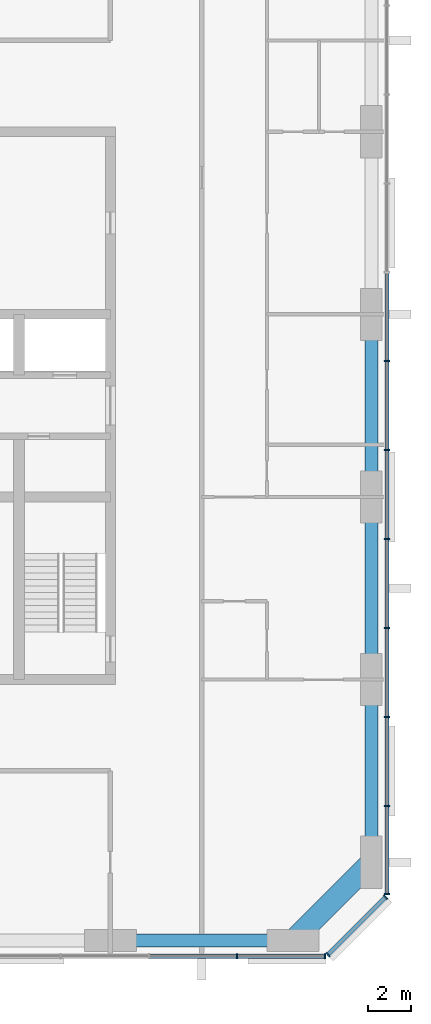
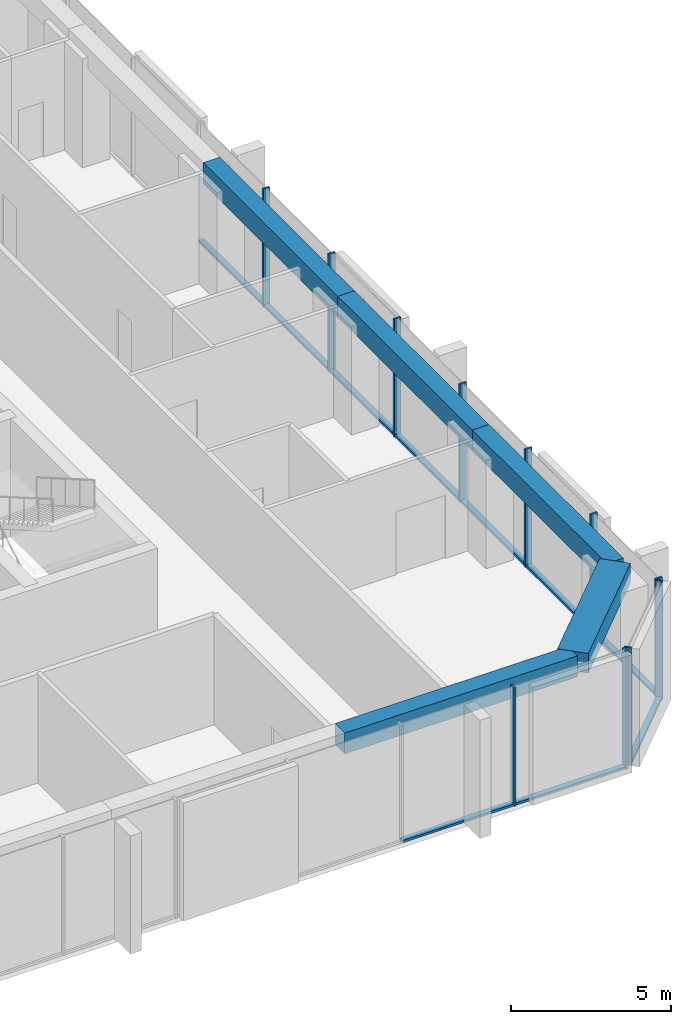
# One storey, part 3 of 10: 21 members, 5 beams, 3 elements without a shape of their own.
"""IFC4 building model written with IfcOpenShell, lengths in metres."""

from ifc_helpers import new_model, si_unit, direction, frame, origin, origin_2d, place, context, subcontext, project, spatial, rectangle, extrude, material, material_profile, profile_set, type_object, element, aggregate, save


model = new_model("IFC4")

# Units and contexts
model_context = context("Model", 3, precision=1e-05, world=origin(), true_north=direction((0.0, 1.0)))
body_context = subcontext(model_context, "Body", "Model", "MODEL_VIEW")
ifc_project = project(units=[si_unit("LENGTHUNIT", "METRE"), si_unit("AREAUNIT", "SQUARE_METRE"), si_unit("VOLUMEUNIT", "CUBIC_METRE"), si_unit("PLANEANGLEUNIT", "RADIAN"), si_unit("MASSUNIT", "GRAM", prefix="KILO")], contexts=[model_context])

# Site, building, storey
site_placement = place(None, origin())
site = spatial("IfcSite", under=ifc_project, at=site_placement, CompositionType="ELEMENT")
building_placement = place(site_placement, origin())
building = spatial("IfcBuilding", under=site, at=building_placement, Name="Dunama Terrace Hotel", CompositionType="ELEMENT")
storey_placement = place(building_placement, frame((0.0, 0.0, 289.10009765625)))
storey = spatial("IfcBuildingStorey", under=building, at=storey_placement, Name="L74", CompositionType="ELEMENT", Elevation=289.10009765625)

# Curtain wall, members
ifc_material_1 = material(Name="Aluminium curtain wall system", Category="aluminium")
curtain_wall_type = type_object("IfcCurtainWallType", Name="Unitised fritted glass wall CW-D", PredefinedType="NOTDEFINED", material=ifc_material_1)
curtain_wall_1_placement = place(storey_placement, origin())
curtain_wall_1 = element("IfcCurtainWall", 1, at=curtain_wall_1_placement, inside=storey, type_object=curtain_wall_type, Name="Unitised fritted glass wall CW-D L74", PredefinedType="NOTDEFINED")
ifc_material_2 = material(Name="Aluminium mullion", Category="aluminium")
ifc_material_profile_1 = material_profile(ifc_material_2, rectangle(XDim=0.070068359375, YDim=0.239990234375, at=origin_2d()), Name="CWD MULLION 70X240")
ifc_profile_set_1 = profile_set([ifc_material_profile_1], Name="Aluminium mullion")
member_type_1 = type_object("IfcMemberType", Name="CWD mullion 70x240", PredefinedType="MULLION", material=ifc_profile_set_1)
member_1_placement = place(storey_placement, frame((47.8330078125, 4.080078125, 0.0), z_axis=(0.0, 0.0, 1.0), x_axis=(1.0, 0.0, 0.0)))
member_1 = element("IfcMember", 2, at=member_1_placement, type_object=member_type_1, Name="CWD mullion", PredefinedType="MULLION", context=body_context, shape_type="SweptSolid", body=[
    extrude(rectangle(XDim=0.070068359375, YDim=0.239990234375, at=origin_2d()), origin(), (0.0, 0.0, 1.0), 4.5),
])
member_2_placement = place(storey_placement, frame((51.864990234375, 4.080078125, 0.0), z_axis=(0.0, 0.0, 1.0), x_axis=(1.0, 0.0, 0.0)))
member_2 = element("IfcMember", 3, at=member_2_placement, type_object=member_type_1, Name="CWD mullion", PredefinedType="MULLION", context=body_context, shape_type="SweptSolid", body=[
    extrude(rectangle(XDim=0.070068359375, YDim=0.239990234375, at=origin_2d()), origin(), (0.0, 0.0, 1.0), 4.5),
])

curtain_wall_2_placement = place(storey_placement, origin())
curtain_wall_2 = element("IfcCurtainWall", 4, at=curtain_wall_2_placement, inside=storey, type_object=curtain_wall_type, Name="Unitised fritted glass wall CW-D L74", PredefinedType="NOTDEFINED")
member_3_placement = place(storey_placement, frame((52.010009765625, 4.139892578125, 0.0), z_axis=(0.0, 0.0, 1.0), x_axis=(0.707106781187, 0.707106781187, 0.0)))
member_3 = element("IfcMember", 5, at=member_3_placement, type_object=member_type_1, Name="CWD mullion", PredefinedType="MULLION", context=body_context, shape_type="SweptSolid", body=[
    extrude(rectangle(XDim=0.070068359375, YDim=0.239990234375, at=origin_2d()), origin(), (0.0, 0.0, 1.0), 4.5),
])
member_4_placement = place(storey_placement, frame((54.659912109375, 6.7900390625, 0.0), z_axis=(0.0, 0.0, 1.0), x_axis=(0.707106781187, 0.707106781187, 0.0)))
member_4 = element("IfcMember", 6, at=member_4_placement, type_object=member_type_1, Name="CWD mullion", PredefinedType="MULLION", context=body_context, shape_type="SweptSolid", body=[
    extrude(rectangle(XDim=0.070068359375, YDim=0.239990234375, at=origin_2d()), origin(), (0.0, 0.0, 1.0), 4.5),
])

curtain_wall_3_placement = place(storey_placement, origin())
curtain_wall_3 = element("IfcCurtainWall", 7, at=curtain_wall_3_placement, inside=storey, type_object=curtain_wall_type, Name="Unitised fritted glass wall CW-D L74", PredefinedType="NOTDEFINED")
member_5_placement = place(storey_placement, frame((54.719970703125, 6.93505859375, 0.0), z_axis=(0.0, 0.0, 1.0), x_axis=(0.0, 1.0, 0.0)))
member_5 = element("IfcMember", 8, at=member_5_placement, type_object=member_type_1, Name="CWD mullion", PredefinedType="MULLION", context=body_context, shape_type="SweptSolid", body=[
    extrude(rectangle(XDim=0.070068359375, YDim=0.239990234375, at=origin_2d()), origin(), (0.0, 0.0, 1.0), 4.5),
])
member_6_placement = place(storey_placement, frame((54.719970703125, 10.990966796875, 0.0), z_axis=(0.0, 0.0, 1.0), x_axis=(0.0, 1.0, 0.0)))
member_6 = element("IfcMember", 9, at=member_6_placement, type_object=member_type_1, Name="CWD mullion", PredefinedType="MULLION", context=body_context, shape_type="SweptSolid", body=[
    extrude(rectangle(XDim=0.070068359375, YDim=0.239990234375, at=origin_2d()), origin(), (0.0, 0.0, 1.0), 4.5),
])
member_7_placement = place(storey_placement, frame((54.719970703125, 15.08203125, 0.0), z_axis=(0.0, 0.0, 1.0), x_axis=(0.0, 1.0, 0.0)))
member_7 = element("IfcMember", 10, at=member_7_placement, type_object=member_type_1, Name="CWD mullion", PredefinedType="MULLION", context=body_context, shape_type="SweptSolid", body=[
    extrude(rectangle(XDim=0.070068359375, YDim=0.239990234375, at=origin_2d()), origin(), (0.0, 0.0, 1.0), 4.5),
])
member_8_placement = place(storey_placement, frame((54.719970703125, 19.173095703125, 0.0), z_axis=(0.0, 0.0, 1.0), x_axis=(0.0, 1.0, 0.0)))
member_8 = element("IfcMember", 11, at=member_8_placement, type_object=member_type_1, Name="CWD mullion", PredefinedType="MULLION", context=body_context, shape_type="SweptSolid", body=[
    extrude(rectangle(XDim=0.070068359375, YDim=0.239990234375, at=origin_2d()), origin(), (0.0, 0.0, 1.0), 4.5),
])
member_9_placement = place(storey_placement, frame((54.719970703125, 23.263916015625, 0.0), z_axis=(0.0, 0.0, 1.0), x_axis=(0.0, 1.0, 0.0)))
member_9 = element("IfcMember", 12, at=member_9_placement, type_object=member_type_1, Name="CWD mullion", PredefinedType="MULLION", context=body_context, shape_type="SweptSolid", body=[
    extrude(rectangle(XDim=0.070068359375, YDim=0.239990234375, at=origin_2d()), origin(), (0.0, 0.0, 1.0), 4.5),
])
member_10_placement = place(storey_placement, frame((54.719970703125, 27.35498046875, 0.0), z_axis=(0.0, 0.0, 1.0), x_axis=(0.0, 1.0, 0.0)))
member_10 = element("IfcMember", 13, at=member_10_placement, type_object=member_type_1, Name="CWD mullion", PredefinedType="MULLION", context=body_context, shape_type="SweptSolid", body=[
    extrude(rectangle(XDim=0.070068359375, YDim=0.239990234375, at=origin_2d()), origin(), (0.0, 0.0, 1.0), 4.5),
])
member_11_placement = place(storey_placement, frame((54.719970703125, 31.445068359375, 0.0), z_axis=(0.0, 0.0, 1.0), x_axis=(0.0, 1.0, 0.0)))
member_11 = element("IfcMember", 14, at=member_11_placement, type_object=member_type_1, Name="CWD mullion", PredefinedType="MULLION", context=body_context, shape_type="SweptSolid", body=[
    extrude(rectangle(XDim=0.070068359375, YDim=0.239990234375, at=origin_2d()), origin(), (0.0, 0.0, 1.0), 4.5),
])

# Member
ifc_material_3 = material(Name="Aluminium transom", Category="aluminium")
ifc_material_profile_2 = material_profile(ifc_material_3, rectangle(XDim=0.199951171875, YDim=0.0849609375, at=origin_2d()), Name="CWD TRANSOM 200X85")
ifc_profile_set_2 = profile_set([ifc_material_profile_2], Name="Aluminium transom")
member_type_2 = type_object("IfcMemberType", Name="CWD transom 200x85", PredefinedType="USERDEFINED", material=ifc_profile_set_2)
member_12_placement = place(storey_placement, frame((43.802001953125, 4.080078125, 0.04248046875), z_axis=(1.0, 0.0, 0.0), x_axis=(0.0, 1.0, 0.0)))
member_12 = element("IfcMember", 15, at=member_12_placement, type_object=member_type_2, Name="CWD transom", ObjectType="TRANSOM", PredefinedType="USERDEFINED", context=body_context, shape_type="SweptSolid", body=[
    extrude(rectangle(XDim=0.199951171875, YDim=0.0849609375, at=origin_2d()), origin(), (0.0, 0.0, 1.0), 3.99609375),
])

member_13_placement = place(storey_placement, frame((47.867919921875, 4.080078125, 0.04248046875), z_axis=(1.0, 0.0, 0.0), x_axis=(0.0, 1.0, 0.0)))
member_13 = element("IfcMember", 16, at=member_13_placement, type_object=member_type_2, Name="CWD transom", ObjectType="TRANSOM", PredefinedType="USERDEFINED", context=body_context, shape_type="SweptSolid", body=[
    extrude(rectangle(XDim=0.199951171875, YDim=0.0849609375, at=origin_2d()), origin(), (0.0, 0.0, 1.0), 3.962158203125),
])

aggregate(curtain_wall_1, [member_1, member_2, member_12, member_13])

member_14_placement = place(storey_placement, frame((52.033935546875, 4.1650390625, 0.04248046875), z_axis=(0.707106781187, 0.707106781187, 0.0), x_axis=(-0.707106781187, 0.707106781187, 0.0)))
member_14 = element("IfcMember", 17, at=member_14_placement, type_object=member_type_2, Name="CWD transom", ObjectType="TRANSOM", PredefinedType="USERDEFINED", context=body_context, shape_type="SweptSolid", body=[
    extrude(rectangle(XDim=0.199951171875, YDim=0.0849609375, at=origin_2d()), origin(), (0.0, 0.0, 1.0), 3.678466796875),
])

aggregate(curtain_wall_2, [member_3, member_4, member_14])

member_15_placement = place(storey_placement, frame((54.719970703125, 6.969970703125, 0.04248046875), z_axis=(0.0, 1.0, 0.0), x_axis=(-1.0, 0.0, 0.0)))
member_15 = element("IfcMember", 18, at=member_15_placement, type_object=member_type_2, Name="CWD transom", ObjectType="TRANSOM", PredefinedType="USERDEFINED", context=body_context, shape_type="SweptSolid", body=[
    extrude(rectangle(XDim=0.199951171875, YDim=0.0849609375, at=origin_2d()), origin(), (0.0, 0.0, 1.0), 3.986083984375),
])

member_16_placement = place(storey_placement, frame((54.719970703125, 11.02587890625, 0.04248046875), z_axis=(0.0, 1.0, 0.0), x_axis=(-1.0, 0.0, 0.0)))
member_16 = element("IfcMember", 19, at=member_16_placement, type_object=member_type_2, Name="CWD transom", ObjectType="TRANSOM", PredefinedType="USERDEFINED", context=body_context, shape_type="SweptSolid", body=[
    extrude(rectangle(XDim=0.199951171875, YDim=0.0849609375, at=origin_2d()), origin(), (0.0, 0.0, 1.0), 4.021240234375),
])

member_17_placement = place(storey_placement, frame((54.719970703125, 15.116943359375, 0.04248046875), z_axis=(0.0, 1.0, 0.0), x_axis=(-1.0, 0.0, 0.0)))
member_17 = element("IfcMember", 20, at=member_17_placement, type_object=member_type_2, Name="CWD transom", ObjectType="TRANSOM", PredefinedType="USERDEFINED", context=body_context, shape_type="SweptSolid", body=[
    extrude(rectangle(XDim=0.199951171875, YDim=0.0849609375, at=origin_2d()), origin(), (0.0, 0.0, 1.0), 4.02099609375),
])

member_18_placement = place(storey_placement, frame((54.719970703125, 19.2080078125, 0.04248046875), z_axis=(0.0, 1.0, 0.0), x_axis=(-1.0, 0.0, 0.0)))
member_18 = element("IfcMember", 21, at=member_18_placement, type_object=member_type_2, Name="CWD transom", ObjectType="TRANSOM", PredefinedType="USERDEFINED", context=body_context, shape_type="SweptSolid", body=[
    extrude(rectangle(XDim=0.199951171875, YDim=0.0849609375, at=origin_2d()), origin(), (0.0, 0.0, 1.0), 4.02099609375),
])

member_19_placement = place(storey_placement, frame((54.719970703125, 23.299072265625, 0.04248046875), z_axis=(0.0, 1.0, 0.0), x_axis=(-1.0, 0.0, 0.0)))
member_19 = element("IfcMember", 22, at=member_19_placement, type_object=member_type_2, Name="CWD transom", ObjectType="TRANSOM", PredefinedType="USERDEFINED", context=body_context, shape_type="SweptSolid", body=[
    extrude(rectangle(XDim=0.199951171875, YDim=0.0849609375, at=origin_2d()), origin(), (0.0, 0.0, 1.0), 4.02099609375),
])

member_20_placement = place(storey_placement, frame((54.719970703125, 27.389892578125, 0.04248046875), z_axis=(0.0, 1.0, 0.0), x_axis=(-1.0, 0.0, 0.0)))
member_20 = element("IfcMember", 23, at=member_20_placement, type_object=member_type_2, Name="CWD transom", ObjectType="TRANSOM", PredefinedType="USERDEFINED", context=body_context, shape_type="SweptSolid", body=[
    extrude(rectangle(XDim=0.199951171875, YDim=0.0849609375, at=origin_2d()), origin(), (0.0, 0.0, 1.0), 4.02001953125),
])

member_21_placement = place(storey_placement, frame((54.719970703125, 31.47998046875, 0.04248046875), z_axis=(0.0, 1.0, 0.0), x_axis=(-1.0, 0.0, 0.0)))
member_21 = element("IfcMember", 24, at=member_21_placement, type_object=member_type_2, Name="CWD transom", ObjectType="TRANSOM", PredefinedType="USERDEFINED", context=body_context, shape_type="SweptSolid", body=[
    extrude(rectangle(XDim=0.199951171875, YDim=0.0849609375, at=origin_2d()), origin(), (0.0, 0.0, 1.0), 4.02099609375),
])

aggregate(curtain_wall_3, [member_5, member_6, member_7, member_8, member_9, member_10, member_11, member_15, member_16, member_17, member_18, member_19, member_20, member_21])

# Beams
ifc_material_4 = material(Name="Concrete C50/60", Category="concrete")
ifc_material_profile_3 = material_profile(ifc_material_4, rectangle(XDim=1.0, YDim=0.75, at=origin_2d()), Name="RC 1000x750")
ifc_profile_set_3 = profile_set([ifc_material_profile_3], Name="Concrete C50/60")
beam_type_1 = type_object("IfcBeamType", Name="Edge beam RC 1000x750", PredefinedType="SPANDREL", material=ifc_profile_set_3)
beam_1_placement = place(storey_placement, frame((50.39990234375, 4.800048828125, 4.125), z_axis=(0.707130757816, 0.707082803744, 0.0), x_axis=(-0.707082803744, 0.707130757816, 0.0)))
element("IfcBeam", 25, at=beam_1_placement, inside=storey, type_object=beam_type_1, Name="Corner edge beam under L75", PredefinedType="SPANDREL", context=body_context, shape_type="SweptSolid", body=[
    extrude(rectangle(XDim=1.0, YDim=0.75, at=origin_2d()), origin(), (0.0, 0.0, 1.0), 5.091064453125),
])
ifc_material_5 = material(Name="Concrete C40/50", Category="concrete")
ifc_material_profile_4 = material_profile(ifc_material_5, rectangle(XDim=0.60009765625, YDim=0.800048828125, at=origin_2d()), Name="RC 600x800")
ifc_profile_set_4 = profile_set([ifc_material_profile_4], Name="Concrete C40/50")
beam_type_2 = type_object("IfcBeamType", Name="Edge beam RC 600x800", PredefinedType="SPANDREL", material=ifc_profile_set_4)
beam_2_placement = place(storey_placement, frame((54.0, 8.39990234375, 4.099853515625), z_axis=(0.0, 1.0, 0.0), x_axis=(-1.0, 0.0, 0.0)))
element("IfcBeam", 26, at=beam_2_placement, inside=storey, type_object=beam_type_2, Name="Edge beam under L75", PredefinedType="SPANDREL", context=body_context, shape_type="SweptSolid", body=[
    extrude(rectangle(XDim=0.60009765625, YDim=0.800048828125, at=origin_2d()), origin(), (0.0, 0.0, 1.0), 8.400146484375),
])
beam_3_placement = place(storey_placement, frame((54.0, 16.800048828125, 4.099853515625), z_axis=(0.0, 1.0, 0.0), x_axis=(-1.0, 0.0, 0.0)))
element("IfcBeam", 27, at=beam_3_placement, inside=storey, type_object=beam_type_2, Name="Edge beam under L75", PredefinedType="SPANDREL", context=body_context, shape_type="SweptSolid", body=[
    extrude(rectangle(XDim=0.60009765625, YDim=0.800048828125, at=origin_2d()), origin(), (0.0, 0.0, 1.0), 8.39990234375),
])
beam_4_placement = place(storey_placement, frame((54.0, 25.199951171875, 4.099853515625), z_axis=(0.0, 1.0, 0.0), x_axis=(-1.0, 0.0, 0.0)))
element("IfcBeam", 28, at=beam_4_placement, inside=storey, type_object=beam_type_2, Name="Edge beam under L75", PredefinedType="SPANDREL", context=body_context, shape_type="SweptSolid", body=[
    extrude(rectangle(XDim=0.60009765625, YDim=0.800048828125, at=origin_2d()), origin(), (0.0, 0.0, 1.0), 8.400146484375),
])
beam_5_placement = place(storey_placement, frame((42.0, 4.800048828125, 4.099853515625), z_axis=(1.0, 0.0, 0.0), x_axis=(0.0, 1.0, 0.0)))
element("IfcBeam", 29, at=beam_5_placement, inside=storey, type_object=beam_type_2, Name="Edge beam under L75", PredefinedType="SPANDREL", context=body_context, shape_type="SweptSolid", body=[
    extrude(rectangle(XDim=0.60009765625, YDim=0.800048828125, at=origin_2d()), origin(), (0.0, 0.0, 1.0), 8.39990234375),
])

save(model, "model.ifc")
